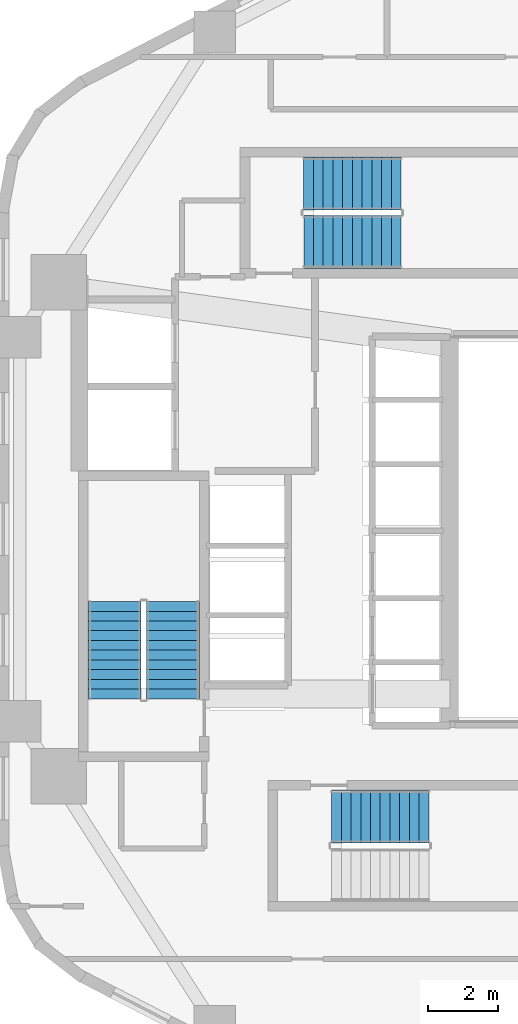
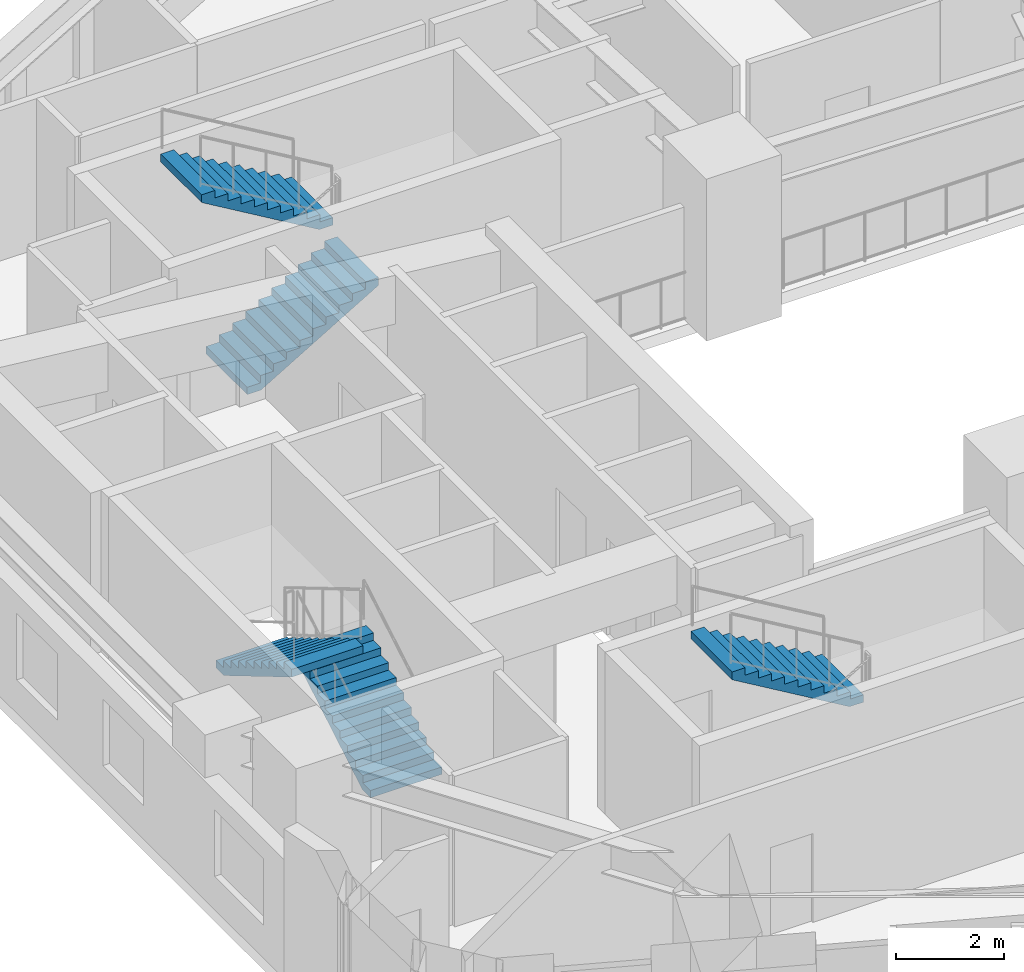
# One storey, part 6 of 7: 5 stair flights, 3 elements without a shape of their own.
"""IFC4 building model written with IfcOpenShell, lengths in metres."""

from ifc_helpers import new_model, si_unit, direction, frame, origin, place, context, subcontext, project, spatial, polyline, outline, extrude, material, type_object, element, aggregate, save


model = new_model("IFC4")

# Units and contexts
model_context = context("Model", 3, precision=1e-05, world=origin(), true_north=direction((0.0, 1.0)))
body_context = subcontext(model_context, "Body", "Model", "MODEL_VIEW")
ifc_project = project(units=[si_unit("LENGTHUNIT", "METRE"), si_unit("AREAUNIT", "SQUARE_METRE"), si_unit("VOLUMEUNIT", "CUBIC_METRE"), si_unit("PLANEANGLEUNIT", "RADIAN"), si_unit("MASSUNIT", "GRAM", prefix="KILO"), si_unit("THERMODYNAMICTEMPERATUREUNIT", "KELVIN"), si_unit("POWERUNIT", "WATT")], contexts=[model_context])

# Site, building, storey
site_placement = place(None, origin())
site = spatial("IfcSite", under=ifc_project, at=site_placement, CompositionType="ELEMENT")
building_placement = place(site_placement, origin())
building = spatial("IfcBuilding", under=site, at=building_placement, Name="Skarre Station Tower", CompositionType="ELEMENT")
storey_placement = place(building_placement, frame((0.0, 0.0, 89.050048828125)))
storey = spatial("IfcBuildingStorey", under=building, at=storey_placement, Name="L23", CompositionType="ELEMENT", Elevation=89.050048828125)

# Stair, stair flights
ifc_material = material(Name="Concrete C40/50", Category="concrete")
stair_type_1 = type_object("IfcStairType", Name="Reinforced Concrete Exit Stair ST-1", PredefinedType="HALF_TURN_STAIR", material=ifc_material)
stair_1_placement = place(storey_placement, origin())
stair_1 = element("IfcStair", 1, at=stair_1_placement, inside=storey, type_object=stair_type_1, Name="L23 Core Exit Stair ST-1", PredefinedType="HALF_TURN_STAIR")
stair_flight_type_1 = type_object("IfcStairFlightType", Name="Reinforced Concrete Stair Flight ST-1", PredefinedType="STRAIGHT", material=ifc_material)
stair_flight_1_placement = place(storey_placement, frame((19.590087890625, 19.1201171875, 0.0), z_axis=(0.0, 0.0, 1.0), x_axis=(0.0, 1.0, 0.0)))
stair_flight_1 = element("IfcStairFlight", 2, at=stair_flight_1_placement, type_object=stair_flight_type_1, Name="ST-1 flight 1", NumberOfRisers=11, NumberOfTreads=10, PredefinedType="STRAIGHT", RiserHeight=0.165909091, TreadLength=0.28, context=body_context, shape_type="SweptSolid", body=[
    extrude(outline(polyline([(0.0, 0.0), (0.0, 0.166015625), (0.280029296875, 0.166015625), (0.280029296875, 0.331787109375), (0.56005859375, 0.331787109375), (0.56005859375, 0.497802734375), (0.840087890625, 0.497802734375), (0.840087890625, 0.66357421875), (1.1201171875, 0.66357421875), (1.1201171875, 0.82958984375), (1.39990234375, 0.82958984375), (1.39990234375, 0.995361328125), (1.679931640625, 0.995361328125), (1.679931640625, 1.161376953125), (1.9599609375, 1.161376953125), (1.9599609375, 1.327392578125), (2.239990234375, 1.327392578125), (2.239990234375, 1.4931640625), (2.52001953125, 1.4931640625), (2.52001953125, 1.6591796875), (2.800048828125, 1.6591796875), (2.800048828125, 1.824951171875), (2.800048828125, 1.48486328125), (0.2939453125, 0.0), (0.0, 0.0)])), frame((0.0, 0.760009765625, 0.0), z_axis=(0.0, -1.0, 0.0), x_axis=(1.0, 0.0, 0.0)), (0.0, 0.0, 1.0), 1.52001953125),
])
stair_flight_2_placement = place(storey_placement, frame((17.909912109375, 21.919921875, 1.824951171875), z_axis=(0.0, 0.0, 1.0), x_axis=(0.0, -1.0, 0.0)))
stair_flight_2 = element("IfcStairFlight", 3, at=stair_flight_2_placement, type_object=stair_flight_type_1, Name="ST-1 flight 2", NumberOfRisers=11, NumberOfTreads=10, PredefinedType="STRAIGHT", RiserHeight=0.165909091, TreadLength=0.28, context=body_context, shape_type="SweptSolid", body=[
    extrude(outline(polyline([(0.0, 0.0), (0.0, 0.166015625), (0.280029296875, 0.166015625), (0.280029296875, 0.331787109375), (0.56005859375, 0.331787109375), (0.56005859375, 0.497802734375), (0.840087890625, 0.497802734375), (0.840087890625, 0.66357421875), (1.1201171875, 0.66357421875), (1.1201171875, 0.82958984375), (1.39990234375, 0.82958984375), (1.39990234375, 0.995361328125), (1.679931640625, 0.995361328125), (1.679931640625, 1.161376953125), (1.9599609375, 1.161376953125), (1.9599609375, 1.327392578125), (2.239990234375, 1.327392578125), (2.239990234375, 1.4931640625), (2.52001953125, 1.4931640625), (2.52001953125, 1.6591796875), (2.800048828125, 1.6591796875), (2.800048828125, 1.824951171875), (2.800048828125, 1.48486328125), (0.2939453125, 0.0), (0.0, 0.0)])), frame((0.0, 0.760009765625, 0.0), z_axis=(0.0, -1.0, 0.0), x_axis=(1.0, 0.0, 0.0)), (0.0, 0.0, 1.0), 1.52001953125),
])
aggregate(stair_1, [stair_flight_1, stair_flight_2])

# Stair, stair flight
stair_type_2 = type_object("IfcStairType", Name="Reinforced Concrete Exit Stair ST-2", PredefinedType="HALF_TURN_STAIR", material=ifc_material)
stair_2_placement = place(storey_placement, origin())
stair_2 = element("IfcStair", 4, at=stair_2_placement, inside=storey, type_object=stair_type_2, Name="L23 Core Exit Stair ST-2", PredefinedType="HALF_TURN_STAIR")
stair_flight_type_2 = type_object("IfcStairFlightType", Name="Reinforced Concrete Stair Flight ST-2", PredefinedType="STRAIGHT", material=ifc_material)
stair_flight_3_placement = place(storey_placement, frame((26.949951171875, 15.739990234375, 1.824951171875), z_axis=(0.0, 0.0, 1.0), x_axis=(-1.0, 0.0, 0.0)))
stair_flight_3 = element("IfcStairFlight", 5, at=stair_flight_3_placement, type_object=stair_flight_type_2, Name="ST-2 flight 2", NumberOfRisers=11, NumberOfTreads=10, PredefinedType="STRAIGHT", RiserHeight=0.165909091, TreadLength=0.28, context=body_context, shape_type="SweptSolid", body=[
    extrude(outline(polyline([(0.0, 0.0), (0.0, 0.166015625), (0.280029296875, 0.166015625), (0.280029296875, 0.331787109375), (0.56005859375, 0.331787109375), (0.56005859375, 0.497802734375), (0.840087890625, 0.497802734375), (0.840087890625, 0.66357421875), (1.1201171875, 0.66357421875), (1.1201171875, 0.82958984375), (1.39990234375, 0.82958984375), (1.39990234375, 0.995361328125), (1.679931640625, 0.995361328125), (1.679931640625, 1.161376953125), (1.9599609375, 1.161376953125), (1.9599609375, 1.327392578125), (2.239990234375, 1.327392578125), (2.239990234375, 1.4931640625), (2.52001953125, 1.4931640625), (2.52001953125, 1.6591796875), (2.800048828125, 1.6591796875), (2.800048828125, 1.824951171875), (2.800048828125, 1.48486328125), (0.2939453125, 0.0), (0.0, 0.0)])), frame((0.0, 0.760009765625, 0.0), z_axis=(0.0, -1.0, 0.0), x_axis=(1.0, 0.0, 0.0)), (0.0, 0.0, 1.0), 1.52001953125),
])
aggregate(stair_2, [stair_flight_3])

# Stair, stair flights
stair_type_3 = type_object("IfcStairType", Name="Reinforced Concrete Exit Stair ST-3", PredefinedType="HALF_TURN_STAIR", material=ifc_material)
stair_3_placement = place(storey_placement, origin())
stair_3 = element("IfcStair", 6, at=stair_3_placement, inside=storey, type_object=stair_type_3, Name="L23 Core Exit Stair ST-3", PredefinedType="HALF_TURN_STAIR")
stair_flight_type_3 = type_object("IfcStairFlightType", Name="Reinforced Concrete Stair Flight ST-3", PredefinedType="STRAIGHT", material=ifc_material)
stair_flight_4_placement = place(storey_placement, frame((23.35009765625, 32.260009765625, 0.0), z_axis=(0.0, 0.0, 1.0), x_axis=(1.0, 0.0, 0.0)))
stair_flight_4 = element("IfcStairFlight", 7, at=stair_flight_4_placement, type_object=stair_flight_type_3, Name="ST-3 flight 1", NumberOfRisers=11, NumberOfTreads=10, PredefinedType="STRAIGHT", RiserHeight=0.165909091, TreadLength=0.28, context=body_context, shape_type="SweptSolid", body=[
    extrude(outline(polyline([(0.0, 0.0), (0.0, 0.166015625), (0.280029296875, 0.166015625), (0.280029296875, 0.331787109375), (0.56005859375, 0.331787109375), (0.56005859375, 0.497802734375), (0.840087890625, 0.497802734375), (0.840087890625, 0.66357421875), (1.1201171875, 0.66357421875), (1.1201171875, 0.82958984375), (1.39990234375, 0.82958984375), (1.39990234375, 0.995361328125), (1.679931640625, 0.995361328125), (1.679931640625, 1.161376953125), (1.9599609375, 1.161376953125), (1.9599609375, 1.327392578125), (2.239990234375, 1.327392578125), (2.239990234375, 1.4931640625), (2.52001953125, 1.4931640625), (2.52001953125, 1.6591796875), (2.800048828125, 1.6591796875), (2.800048828125, 1.824951171875), (2.800048828125, 1.48486328125), (0.2939453125, 0.0), (0.0, 0.0)])), frame((0.0, 0.760009765625, 0.0), z_axis=(0.0, -1.0, 0.0), x_axis=(1.0, 0.0, 0.0)), (0.0, 0.0, 1.0), 1.52001953125),
])
stair_flight_5_placement = place(storey_placement, frame((26.14990234375, 33.93994140625, 1.824951171875), z_axis=(0.0, 0.0, 1.0), x_axis=(-1.0, 0.0, 0.0)))
stair_flight_5 = element("IfcStairFlight", 8, at=stair_flight_5_placement, type_object=stair_flight_type_3, Name="ST-3 flight 2", NumberOfRisers=11, NumberOfTreads=10, PredefinedType="STRAIGHT", RiserHeight=0.165909091, TreadLength=0.28, context=body_context, shape_type="SweptSolid", body=[
    extrude(outline(polyline([(0.0, 0.0), (0.0, 0.166015625), (0.280029296875, 0.166015625), (0.280029296875, 0.331787109375), (0.56005859375, 0.331787109375), (0.56005859375, 0.497802734375), (0.840087890625, 0.497802734375), (0.840087890625, 0.66357421875), (1.1201171875, 0.66357421875), (1.1201171875, 0.82958984375), (1.39990234375, 0.82958984375), (1.39990234375, 0.995361328125), (1.679931640625, 0.995361328125), (1.679931640625, 1.161376953125), (1.9599609375, 1.161376953125), (1.9599609375, 1.327392578125), (2.239990234375, 1.327392578125), (2.239990234375, 1.4931640625), (2.52001953125, 1.4931640625), (2.52001953125, 1.6591796875), (2.800048828125, 1.6591796875), (2.800048828125, 1.824951171875), (2.800048828125, 1.48486328125), (0.2939453125, 0.0), (0.0, 0.0)])), frame((0.0, 0.760009765625, 0.0), z_axis=(0.0, -1.0, 0.0), x_axis=(1.0, 0.0, 0.0)), (0.0, 0.0, 1.0), 1.52001953125),
])
aggregate(stair_3, [stair_flight_4, stair_flight_5])

save(model, "model.ifc")
